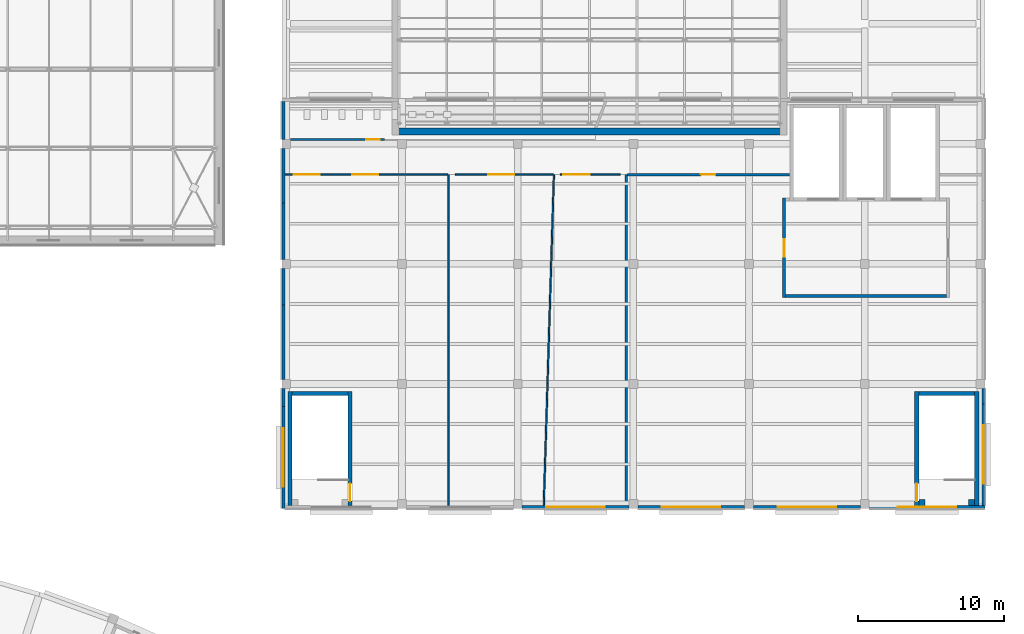
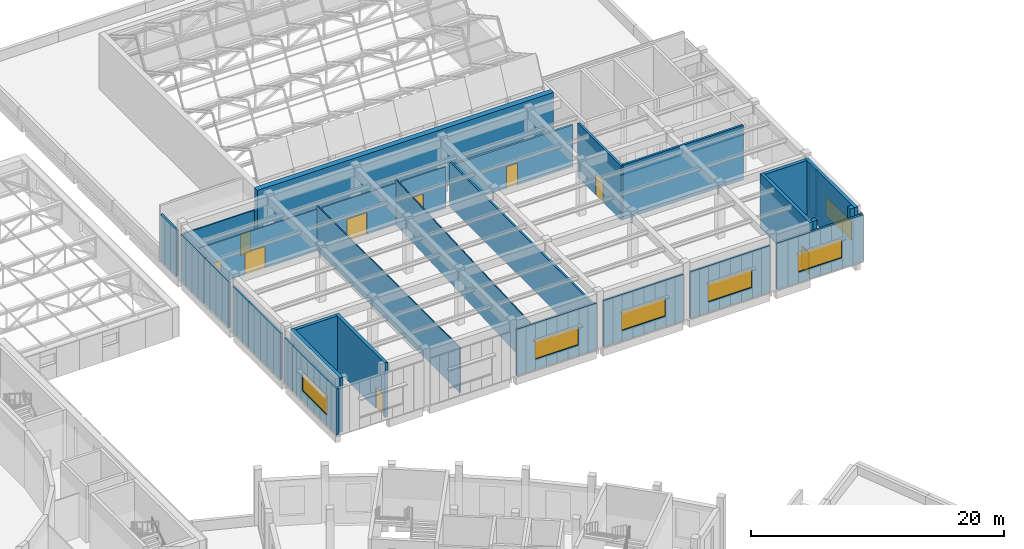
# One storey, part 81 of 132: 32 walls, 9 doors, 6 windows, 15 openings.
"""IFC4 building model written with IfcOpenShell, lengths in metres."""

from ifc_helpers import new_model, si_unit, direction, frame, frame_2d, origin, place, context, subcontext, project, spatial, rectangle, extrude, material, layer, layer_set, type_object, element, fill, save


model = new_model("IFC4")

# Units and contexts
model_context = context("Model", 3, precision=1e-05, world=origin(), true_north=direction((0.0, 1.0)))
body_context = subcontext(model_context, "Body", "Model", "MODEL_VIEW")
ifc_project = project(units=[si_unit("LENGTHUNIT", "METRE"), si_unit("AREAUNIT", "SQUARE_METRE"), si_unit("VOLUMEUNIT", "CUBIC_METRE"), si_unit("PLANEANGLEUNIT", "RADIAN"), si_unit("MASSUNIT", "GRAM", prefix="KILO")], contexts=[model_context])

# Site, building, storey
site_placement = place(None, origin())
site = spatial("IfcSite", under=ifc_project, at=site_placement, CompositionType="ELEMENT")
building_placement = place(site_placement, origin())
building = spatial("IfcBuilding", under=site, at=building_placement, Name="Lunette Opera House", CompositionType="ELEMENT")
storey_placement = place(building_placement, frame((0.0, 0.0, 17.0)))
storey = spatial("IfcBuildingStorey", under=building, at=storey_placement, Name="L03", CompositionType="ELEMENT", Elevation=17.0)

# Wall
ifc_material_1 = material(Name="Plastered clay blockwork", Category="masonry")
ifc_layer_1 = layer(ifc_material_1, 0.175048828125)
ifc_layer_set_1 = layer_set([ifc_layer_1], Name="Plastered clay blockwork")
wall_type_1 = type_object("IfcWallType", Name="ACOUSTIC BLOCK PARTITION 175", PredefinedType="PARTITIONING", material=ifc_layer_set_1)
wall_1_placement = place(storey_placement, frame((159.514892578125, 100.800048828125, 0.0), z_axis=(0.0, 0.0, 1.0), x_axis=(0.0, -1.0, 0.0)))
element("IfcWall", 1, at=wall_1_placement, inside=storey, type_object=wall_type_1, Name="Partition Scenery Store Upper", PredefinedType="PARTITIONING", context=body_context, shape_type="SweptSolid", body=[
    extrude(rectangle(XDim=22.60009765625, YDim=0.175048828125, at=frame_2d((11.300048828125, 0.0))), origin(), (0.0, 0.0, 1.0), 4.35009765625),
])

# Wall, opening, door
wall_2_placement = place(storey_placement, frame((170.64990234375, 100.800048828125, 0.0), z_axis=(0.0, 0.0, 1.0), x_axis=(-1.0, 0.0, 0.0)))
wall_2 = element("IfcWall", 2, at=wall_2_placement, inside=storey, type_object=wall_type_1, Name="Partition Scenery Store Upper", PredefinedType="PARTITIONING", context=body_context, shape_type="SweptSolid", body=[
    extrude(rectangle(XDim=11.046875, YDim=0.175048828125, at=frame_2d((5.5234375, 0.0))), origin(), (0.0, 0.0, 1.0), 4.0),
])
opening_1_placement = place(wall_2_placement, frame((5.04296875, 0.0, 0.0)))
opening_1 = element("IfcOpeningElement", 3, at=opening_1_placement, cuts=wall_2, Name="Opening WW-D3046", PredefinedType="OPENING", context=body_context, shape_type="SweptSolid", body=[
    extrude(rectangle(XDim=1.0, YDim=2.10009765625, at=frame_2d((0.5, 1.050048828125))), frame((0.0, 0.099609375, 0.0), z_axis=(0.0, -1.0, 0.0), x_axis=(1.0, 0.0, 0.0)), (0.0, 0.0, 1.0), 0.198974609375),
])
ifc_material_2 = material(Name="Timber", Category="wood")
door_type_1 = type_object("IfcDoorType", Name="FLUSH DOOR 1000 X 2100", OperationType="SINGLE_SWING_LEFT", PredefinedType="DOOR", material=ifc_material_2)
door_1_placement = place(opening_1_placement, origin())
door_1 = element("IfcDoor", 4, at=door_1_placement, inside=storey, type_object=door_type_1, Name="Scenery Store Upper door", OperationType="SINGLE_SWING_RIGHT", OverallHeight=2.10009765625, OverallWidth=1.0, PredefinedType="DOOR", context=body_context, shape_type="SweptSolid", body=[
    extrude(rectangle(XDim=1.0, YDim=2.10009765625, at=frame_2d((0.5, 1.050048828125))), frame((0.0, 0.02490234375, 0.0), z_axis=(0.0, -1.0, 0.0), x_axis=(1.0, 0.0, 0.0)), (0.0, 0.0, 1.0), 0.050048828125),
])
fill(opening_1, door_1)

ifc_material_3 = material(Name="Plastered clay blockwork", Category="masonry")
ifc_layer_2 = layer(ifc_material_3, 0.14990234375)
ifc_layer_set_2 = layer_set([ifc_layer_2], Name="Plastered clay blockwork")
wall_type_2 = type_object("IfcWallType", Name="BLOCK PARTITION 150", PredefinedType="PARTITIONING", material=ifc_layer_set_2)
wall_3_placement = place(storey_placement, frame((136.60107421875, 103.199951171875, 0.0), z_axis=(0.0, 0.0, 1.0), x_axis=(1.0, 0.0, 0.0)))
wall_3 = element("IfcWall", 5, at=wall_3_placement, inside=storey, type_object=wall_type_2, Name="Partition Workshop WC L03", PredefinedType="PARTITIONING", context=body_context, shape_type="SweptSolid", body=[
    extrude(rectangle(XDim=6.39892578125, YDim=0.14990234375, at=frame_2d((3.199462890625, 0.0))), origin(), (0.0, 0.0, 1.0), 4.0),
])
opening_2_placement = place(wall_3_placement, frame((5.1630859375, 0.0, 0.0)))
opening_2 = element("IfcOpeningElement", 6, at=opening_2_placement, cuts=wall_3, Name="Opening WW-D3047", PredefinedType="OPENING", context=body_context, shape_type="SweptSolid", body=[
    extrude(rectangle(XDim=0.89990234375, YDim=2.10009765625, at=frame_2d((0.449951171875, 1.050048828125))), frame((0.0, 0.0869140625, 0.0), z_axis=(0.0, -1.0, 0.0), x_axis=(1.0, 0.0, 0.0)), (0.0, 0.0, 1.0), 0.173828125),
])
ifc_material_4 = material(Name="Timber", Category="wood")
door_type_2 = type_object("IfcDoorType", Name="FLUSH DOOR 900 X 2100", OperationType="SINGLE_SWING_LEFT", PredefinedType="DOOR", material=ifc_material_4)
door_2_placement = place(opening_2_placement, origin())
door_2 = element("IfcDoor", 7, at=door_2_placement, inside=storey, type_object=door_type_2, Name="Workshop WC L03 door", OperationType="SINGLE_SWING_RIGHT", OverallHeight=2.10009765625, OverallWidth=0.89990234375, PredefinedType="DOOR", context=body_context, shape_type="SweptSolid", body=[
    extrude(rectangle(XDim=0.89990234375, YDim=2.10009765625, at=frame_2d((0.449951171875, 1.050048828125))), frame((0.0, 0.02490234375, 0.0), z_axis=(0.0, -1.0, 0.0), x_axis=(1.0, 0.0, 0.0)), (0.0, 0.0, 1.0), 0.050048828125),
])
fill(opening_2, door_2)

ifc_material_5 = material(Name="Concrete C35/45", Category="concrete")
ifc_layer_3 = layer(ifc_material_5, 0.199951171875)
ifc_layer_set_3 = layer_set([ifc_layer_3], Name="Concrete C35/45")
wall_type_3 = type_object("IfcWallType", Name="LOBBY WALL 200", PredefinedType="PARTITIONING", material=ifc_layer_set_3)
wall_4_placement = place(storey_placement, frame((170.300048828125, 99.199951171875, 0.0), z_axis=(0.0, 0.0, 1.0), x_axis=(0.0, -1.0, 0.0)))
wall_4 = element("IfcWall", 8, at=wall_4_placement, inside=storey, type_object=wall_type_3, Name="LL-W lobby wall 3a", PredefinedType="PARTITIONING", context=body_context, shape_type="SweptSolid", body=[
    extrude(rectangle(XDim=6.800048828125, YDim=0.199951171875, at=frame_2d((3.39990234375, 0.0))), origin(), (0.0, 0.0, 1.0), 5.25),
])
opening_3_placement = place(wall_4_placement, frame((2.800048828125, 0.0, 0.0)))
opening_3 = element("IfcOpeningElement", 9, at=opening_3_placement, cuts=wall_4, Name="Opening WW-D7024", PredefinedType="OPENING", context=body_context, shape_type="SweptSolid", body=[
    extrude(rectangle(XDim=1.199951171875, YDim=2.10009765625, at=frame_2d((0.60009765625, 1.050048828125))), frame((0.0, 0.112060546875, 0.0), z_axis=(0.0, -1.0, 0.0), x_axis=(1.0, 0.0, 0.0)), (0.0, 0.0, 1.0), 0.223876953125),
])
ifc_material_6 = material(Name="Steel", Category="steel")
door_type_3 = type_object("IfcDoorType", Name="FIRE DOOR 1200 X 2100", OperationType="SINGLE_SWING_LEFT", PredefinedType="DOOR", material=ifc_material_6)
door_3_placement = place(opening_3_placement, origin())
door_3 = element("IfcDoor", 10, at=door_3_placement, inside=storey, type_object=door_type_3, Name="LL-W lobby door", OperationType="SINGLE_SWING_LEFT", OverallHeight=2.10009765625, OverallWidth=1.199951171875, PredefinedType="DOOR", context=body_context, shape_type="SweptSolid", body=[
    extrude(rectangle(XDim=1.199951171875, YDim=2.10009765625, at=frame_2d((0.60009765625, 1.050048828125))), frame((0.0, 0.02490234375, 0.0), z_axis=(0.0, -1.0, 0.0), x_axis=(1.0, 0.0, 0.0)), (0.0, 0.0, 1.0), 0.050048828125),
])
fill(opening_3, door_3)

# Walls
wall_5_placement = place(storey_placement, frame((170.39990234375, 92.5, 0.0), z_axis=(0.0, 0.0, 1.0), x_axis=(1.0, 0.0, 0.0)))
element("IfcWall", 11, at=wall_5_placement, inside=storey, type_object=wall_type_3, Name="LL-W lobby wall 4a", PredefinedType="PARTITIONING", context=body_context, shape_type="SweptSolid", body=[
    extrude(rectangle(XDim=11.0, YDim=0.199951171875, at=frame_2d((5.5, 0.0))), origin(), (0.0, 0.0, 1.0), 5.25),
])
ifc_material_7 = material(Name="Concrete C35/45", Category="concrete")
ifc_layer_4 = layer(ifc_material_7, 0.39990234375)
ifc_layer_set_4 = layer_set([ifc_layer_4], Name="Concrete C35/45")
wall_type_4 = type_object("IfcWallType", Name="RC PILASTER 400", PredefinedType="SOLIDWALL", material=ifc_layer_set_4)
wall_6_placement = place(storey_placement, frame((179.5, 78.39990234375, 0.0), z_axis=(0.0, 0.0, 1.0), x_axis=(1.0, 0.0, 0.0)))
element("IfcWall", 12, at=wall_6_placement, inside=storey, type_object=wall_type_4, Name="ST20 pilaster 1", PredefinedType="SOLIDWALL", context=body_context, shape_type="SweptSolid", body=[
    extrude(rectangle(XDim=0.39990234375, YDim=0.39990234375, at=frame_2d((0.199951171875, 0.0))), origin(), (0.0, 0.0, 1.0), 5.25),
])
wall_7_placement = place(storey_placement, frame((182.89990234375, 78.39990234375, 0.0), z_axis=(0.0, 0.0, 1.0), x_axis=(1.0, 0.0, 0.0)))
element("IfcWall", 13, at=wall_7_placement, inside=storey, type_object=wall_type_4, Name="ST20 pilaster 2", PredefinedType="SOLIDWALL", context=body_context, shape_type="SweptSolid", body=[
    extrude(rectangle(XDim=0.400146484375, YDim=0.39990234375, at=frame_2d((0.2001953125, 0.0))), origin(), (0.0, 0.0, 1.0), 5.25),
])

# Wall, opening, door
ifc_material_8 = material(Name="Concrete C35/45", Category="concrete")
ifc_layer_5 = layer(ifc_material_8, 0.300048828125)
ifc_layer_set_5 = layer_set([ifc_layer_5], Name="Concrete C35/45")
wall_type_5 = type_object("IfcWallType", Name="RC STAIR ENCLOSURE WALL 300", PredefinedType="SOLIDWALL", material=ifc_layer_set_5)
wall_8_placement = place(storey_placement, frame((140.64990234375, 78.199951171875, 0.0), z_axis=(0.0, 0.0, 1.0), x_axis=(0.0, 1.0, 0.0)))
wall_8 = element("IfcWall", 14, at=wall_8_placement, inside=storey, type_object=wall_type_5, Name="ST18 enclosure wall 1", PredefinedType="SOLIDWALL", context=body_context, shape_type="SweptSolid", body=[
    extrude(rectangle(XDim=7.800048828125, YDim=0.300048828125, at=frame_2d((3.89990234375, 0.0))), origin(), (0.0, 0.0, 1.0), 5.25),
])
opening_4_placement = place(wall_8_placement, frame((0.300048828125, 0.0, 0.0)))
opening_4 = element("IfcOpeningElement", 15, at=opening_4_placement, cuts=wall_8, Name="Opening WW-D7005", PredefinedType="OPENING", context=body_context, shape_type="SweptSolid", body=[
    extrude(rectangle(XDim=1.199951171875, YDim=2.10009765625, at=frame_2d((0.60009765625, 1.050048828125))), frame((0.0, 0.162109375, 0.0), z_axis=(0.0, -1.0, 0.0), x_axis=(1.0, 0.0, 0.0)), (0.0, 0.0, 1.0), 0.323974609375),
])
door_4_placement = place(opening_4_placement, origin())
door_4 = element("IfcDoor", 16, at=door_4_placement, inside=storey, type_object=door_type_3, Name="ST18 stair door", OperationType="SINGLE_SWING_LEFT", OverallHeight=2.10009765625, OverallWidth=1.199951171875, PredefinedType="DOOR", context=body_context, shape_type="SweptSolid", body=[
    extrude(rectangle(XDim=1.199951171875, YDim=2.10009765625, at=frame_2d((0.60009765625, 1.050048828125))), frame((0.0, 0.02490234375, 0.0), z_axis=(0.0, -1.0, 0.0), x_axis=(1.0, 0.0, 0.0)), (0.0, 0.0, 1.0), 0.050048828125),
])
fill(opening_4, door_4)

# Walls
wall_9_placement = place(storey_placement, frame((140.5, 85.85009765625, 0.0), z_axis=(0.0, 0.0, 1.0), x_axis=(-1.0, 0.0, 0.0)))
element("IfcWall", 17, at=wall_9_placement, inside=storey, type_object=wall_type_5, Name="ST18 enclosure wall 2", PredefinedType="SOLIDWALL", context=body_context, shape_type="SweptSolid", body=[
    extrude(rectangle(XDim=3.800048828125, YDim=0.300048828125, at=frame_2d((1.89990234375, 0.0))), origin(), (0.0, 0.0, 1.0), 5.25),
])
for number, where, z_axis, x_axis, name in (
    (18, (136.550048828125, 86.0, 0.0), (0.0, 0.0, 1.0), (0.0, -1.0, 0.0), "ST18 enclosure wall 3"),
    (19, (183.449951171875, 78.199951171875, 0.0), (0.0, 0.0, 1.0), (0.0, 1.0, 0.0), "ST20 enclosure wall 1"),
):
    element("IfcWall", number, at=place(storey_placement, frame(where, z_axis=z_axis, x_axis=x_axis)), inside=storey, type_object=wall_type_5, Name=name, PredefinedType="SOLIDWALL", context=body_context, shape_type="SweptSolid", body=[
        extrude(rectangle(XDim=7.800048828125, YDim=0.300048828125, at=frame_2d((3.89990234375, 0.0))), origin(), (0.0, 0.0, 1.0), 5.25),
    ])
wall_10_placement = place(storey_placement, frame((183.300048828125, 85.85009765625, 0.0), z_axis=(0.0, 0.0, 1.0), x_axis=(-1.0, 0.0, 0.0)))
element("IfcWall", 20, at=wall_10_placement, inside=storey, type_object=wall_type_5, Name="ST20 enclosure wall 2", PredefinedType="SOLIDWALL", context=body_context, shape_type="SweptSolid", body=[
    extrude(rectangle(XDim=3.800048828125, YDim=0.300048828125, at=frame_2d((1.89990234375, 0.0))), origin(), (0.0, 0.0, 1.0), 5.25),
])

# Wall, opening, door
wall_11_placement = place(storey_placement, frame((179.35009765625, 86.0, 0.0), z_axis=(0.0, 0.0, 1.0), x_axis=(0.0, -1.0, 0.0)))
wall_11 = element("IfcWall", 21, at=wall_11_placement, inside=storey, type_object=wall_type_5, Name="ST20 enclosure wall 3", PredefinedType="SOLIDWALL", context=body_context, shape_type="SweptSolid", body=[
    extrude(rectangle(XDim=7.800048828125, YDim=0.300048828125, at=frame_2d((3.89990234375, 0.0))), origin(), (0.0, 0.0, 1.0), 5.25),
])
opening_5_placement = place(wall_11_placement, frame((6.300048828125, 0.0, 0.0)))
opening_5 = element("IfcOpeningElement", 22, at=opening_5_placement, cuts=wall_11, Name="Opening WW-D7014", PredefinedType="OPENING", context=body_context, shape_type="SweptSolid", body=[
    extrude(rectangle(XDim=1.199951171875, YDim=2.10009765625, at=frame_2d((0.60009765625, 1.050048828125))), frame((0.0, 0.162109375, 0.0), z_axis=(0.0, -1.0, 0.0), x_axis=(1.0, 0.0, 0.0)), (0.0, 0.0, 1.0), 0.323974609375),
])
door_5_placement = place(opening_5_placement, origin())
door_5 = element("IfcDoor", 23, at=door_5_placement, inside=storey, type_object=door_type_3, Name="ST20 stair door", OperationType="SINGLE_SWING_LEFT", OverallHeight=2.10009765625, OverallWidth=1.199951171875, PredefinedType="DOOR", context=body_context, shape_type="SweptSolid", body=[
    extrude(rectangle(XDim=1.199951171875, YDim=2.10009765625, at=frame_2d((0.60009765625, 1.050048828125))), frame((0.0, 0.02490234375, 0.0), z_axis=(0.0, -1.0, 0.0), x_axis=(1.0, 0.0, 0.0)), (0.0, 0.0, 1.0), 0.050048828125),
])
fill(opening_5, door_5)

# Walls
ifc_material_9 = material(Name="Concrete C35/45", Category="concrete")
ifc_layer_6 = layer(ifc_material_9, 0.5)
ifc_layer_set_6 = layer_set([ifc_layer_6], Name="Concrete C35/45")
wall_type_6 = type_object("IfcWallType", Name="RC WALL 500", PredefinedType="SHEAR", material=ifc_layer_set_6)
wall_12_placement = place(storey_placement, frame((143.5, 103.75, 0.0), z_axis=(0.0, 0.0, 1.0), x_axis=(1.0, 0.0, 0.0)))
element("IfcWall", 24, at=wall_12_placement, inside=storey, type_object=wall_type_6, Name="wall-WW-L03-PH-S-1", PredefinedType="SHEAR", context=body_context, shape_type="SweptSolid", body=[
    extrude(rectangle(XDim=27.0, YDim=0.5, at=frame_2d((13.5, 0.0))), origin(), (0.0, 0.0, 1.0), 5.5),
])
ifc_material_10 = material(Name="Gypsum board on steel studs", Category="steel")
ifc_layer_7 = layer(ifc_material_10, 0.10009765625)
ifc_layer_set_7 = layer_set([ifc_layer_7], Name="Gypsum board on steel studs")
wall_type_7 = type_object("IfcWallType", Name="STUD PARTITION 100", PredefinedType="PARTITIONING", material=ifc_layer_set_7)
wall_13_placement = place(storey_placement, frame((147.386962890625, 100.800048828125, 0.0), z_axis=(0.0, 0.0, 1.0), x_axis=(0.0, -1.0, 0.0)))
element("IfcWall", 25, at=wall_13_placement, inside=storey, type_object=wall_type_7, Name="Partition Pattern Cutting Studio", PredefinedType="PARTITIONING", context=body_context, shape_type="SweptSolid", body=[
    extrude(rectangle(XDim=22.60009765625, YDim=0.10009765625, at=frame_2d((11.300048828125, 0.0))), origin(), (0.0, 0.0, 1.0), 4.35009765625),
])
wall_14_placement = place(storey_placement, frame((154.573974609375, 100.800048828125, 0.0), z_axis=(0.0, 0.0, 1.0), x_axis=(-0.030697419898, -0.999528723155, 0.0)))
element("IfcWall", 26, at=wall_14_placement, inside=storey, type_object=wall_type_7, Name="Partition Workshop Meeting Rooms", PredefinedType="PARTITIONING", context=body_context, shape_type="SweptSolid", body=[
    extrude(rectangle(XDim=22.61083984375, YDim=0.10009765625, at=frame_2d((11.305419921875, 0.0))), origin(), (0.0, 0.0, 1.0), 4.35009765625),
])

# Wall, openings, doors
wall_15_placement = place(storey_placement, frame((136.199951171875, 100.800048828125, 0.0), z_axis=(0.0, 0.0, 1.0), x_axis=(1.0, 0.0, 0.0)))
wall_15 = element("IfcWall", 27, at=wall_15_placement, inside=storey, type_object=wall_type_7, Name="Partition Corridor L03 Workshop", PredefinedType="PARTITIONING", context=body_context, shape_type="SweptSolid", body=[
    extrude(rectangle(XDim=11.136962890625, YDim=0.10009765625, at=frame_2d((5.568359375, 0.0))), origin(), (0.0, 0.0, 1.0), 4.0),
])
opening_6_placement = place(wall_15_placement, frame((4.593994140625, 0.0, 0.0)))
opening_6 = element("IfcOpeningElement", 28, at=opening_6_placement, cuts=wall_15, Name="Opening WW-D3042", PredefinedType="OPENING", context=body_context, shape_type="SweptSolid", body=[
    extrude(rectangle(XDim=1.800048828125, YDim=2.10009765625, at=frame_2d((0.89990234375, 1.050048828125))), frame((0.0, 0.06201171875, 0.0), z_axis=(0.0, -1.0, 0.0), x_axis=(1.0, 0.0, 0.0)), (0.0, 0.0, 1.0), 0.1240234375),
])
opening_7_placement = place(wall_15_placement, frame((0.593994140625, 0.0, 0.0)))
opening_7 = element("IfcOpeningElement", 29, at=opening_7_placement, cuts=wall_15, Name="Opening WW-D3043", PredefinedType="OPENING", context=body_context, shape_type="SweptSolid", body=[
    extrude(rectangle(XDim=1.800048828125, YDim=2.10009765625, at=frame_2d((0.89990234375, 1.050048828125))), frame((0.0, 0.06201171875, 0.0), z_axis=(0.0, -1.0, 0.0), x_axis=(1.0, 0.0, 0.0)), (0.0, 0.0, 1.0), 0.1240234375),
])
ifc_material_11 = material(Name="Timber", Category="wood")
door_type_4 = type_object("IfcDoorType", Name="DOUBLE FLUSH DOOR 1800 X 2100", OperationType="DOUBLE_DOOR_SINGLE_SWING", PredefinedType="DOOR", material=ifc_material_11)
door_6_placement = place(opening_6_placement, origin())
door_6 = element("IfcDoor", 30, at=door_6_placement, inside=storey, type_object=door_type_4, Name="Scenery Drawing Office door", OperationType="DOUBLE_DOOR_SINGLE_SWING", OverallHeight=2.10009765625, OverallWidth=1.800048828125, PredefinedType="DOOR", context=body_context, shape_type="SweptSolid", body=[
    extrude(rectangle(XDim=1.800048828125, YDim=2.10009765625, at=frame_2d((0.89990234375, 1.050048828125))), frame((0.0, 0.02490234375, 0.0), z_axis=(0.0, -1.0, 0.0), x_axis=(1.0, 0.0, 0.0)), (0.0, 0.0, 1.0), 0.050048828125),
])
fill(opening_6, door_6)
door_7_placement = place(opening_7_placement, origin())
door_7 = element("IfcDoor", 31, at=door_7_placement, inside=storey, type_object=door_type_4, Name="Scenery Drawing Office door", OperationType="DOUBLE_DOOR_SINGLE_SWING", OverallHeight=2.10009765625, OverallWidth=1.800048828125, PredefinedType="DOOR", context=body_context, shape_type="SweptSolid", body=[
    extrude(rectangle(XDim=1.800048828125, YDim=2.10009765625, at=frame_2d((0.89990234375, 1.050048828125))), frame((0.0, 0.02490234375, 0.0), z_axis=(0.0, -1.0, 0.0), x_axis=(1.0, 0.0, 0.0)), (0.0, 0.0, 1.0), 0.050048828125),
])
fill(opening_7, door_7)

# Wall, opening, door
wall_16_placement = place(storey_placement, frame((147.8369140625, 100.800048828125, 0.0), z_axis=(0.0, 0.0, 1.0), x_axis=(1.0, 0.0, 0.0)))
wall_16 = element("IfcWall", 32, at=wall_16_placement, inside=storey, type_object=wall_type_7, Name="Partition Corridor L03 Workshop", PredefinedType="PARTITIONING", context=body_context, shape_type="SweptSolid", body=[
    extrude(rectangle(XDim=6.68603515625, YDim=0.10009765625, at=frame_2d((3.343017578125, 0.0))), origin(), (0.0, 0.0, 1.0), 4.0),
])
opening_8_placement = place(wall_16_placement, frame((2.243896484375, 0.0, 0.0)))
opening_8 = element("IfcOpeningElement", 33, at=opening_8_placement, cuts=wall_16, Name="Opening WW-D3044", PredefinedType="OPENING", context=body_context, shape_type="SweptSolid", body=[
    extrude(rectangle(XDim=1.800048828125, YDim=2.10009765625, at=frame_2d((0.89990234375, 1.050048828125))), frame((0.0, 0.06201171875, 0.0), z_axis=(0.0, -1.0, 0.0), x_axis=(1.0, 0.0, 0.0)), (0.0, 0.0, 1.0), 0.1240234375),
])
door_8_placement = place(opening_8_placement, origin())
door_8 = element("IfcDoor", 34, at=door_8_placement, inside=storey, type_object=door_type_4, Name="Pattern Cutting Studio door", OperationType="DOUBLE_DOOR_SINGLE_SWING", OverallHeight=2.10009765625, OverallWidth=1.800048828125, PredefinedType="DOOR", context=body_context, shape_type="SweptSolid", body=[
    extrude(rectangle(XDim=1.800048828125, YDim=2.10009765625, at=frame_2d((0.89990234375, 1.050048828125))), frame((0.0, 0.02490234375, 0.0), z_axis=(0.0, -1.0, 0.0), x_axis=(1.0, 0.0, 0.0)), (0.0, 0.0, 1.0), 0.050048828125),
])
fill(opening_8, door_8)

wall_17_placement = place(storey_placement, frame((155.02294921875, 100.800048828125, 0.0), z_axis=(0.0, 0.0, 1.0), x_axis=(1.0, 0.0, 0.0)))
wall_17 = element("IfcWall", 35, at=wall_17_placement, inside=storey, type_object=wall_type_7, Name="Partition Corridor L03 Workshop", PredefinedType="PARTITIONING", context=body_context, shape_type="SweptSolid", body=[
    extrude(rectangle(XDim=4.080078125, YDim=0.10009765625, at=frame_2d((2.0400390625, 0.0))), origin(), (0.0, 0.0, 1.0), 4.0),
])
opening_9_placement = place(wall_17_placement, frame((0.199951171875, 0.0, 0.0)))
opening_9 = element("IfcOpeningElement", 36, at=opening_9_placement, cuts=wall_17, Name="Opening WW-D3045", PredefinedType="OPENING", context=body_context, shape_type="SweptSolid", body=[
    extrude(rectangle(XDim=1.800048828125, YDim=2.10009765625, at=frame_2d((0.89990234375, 1.050048828125))), frame((0.0, 0.06201171875, 0.0), z_axis=(0.0, -1.0, 0.0), x_axis=(1.0, 0.0, 0.0)), (0.0, 0.0, 1.0), 0.1240234375),
])
door_9_placement = place(opening_9_placement, origin())
door_9 = element("IfcDoor", 37, at=door_9_placement, inside=storey, type_object=door_type_4, Name="Workshop Meeting Rooms door", OperationType="DOUBLE_DOOR_SINGLE_SWING", OverallHeight=2.10009765625, OverallWidth=1.800048828125, PredefinedType="DOOR", context=body_context, shape_type="SweptSolid", body=[
    extrude(rectangle(XDim=1.800048828125, YDim=2.10009765625, at=frame_2d((0.89990234375, 1.050048828125))), frame((0.0, 0.02490234375, 0.0), z_axis=(0.0, -1.0, 0.0), x_axis=(1.0, 0.0, 0.0)), (0.0, 0.0, 1.0), 0.050048828125),
])
fill(opening_9, door_9)

# Walls
ifc_material_12 = material(Name="Insulated aluminium sandwich panel", Category="aluminium")
ifc_layer_8 = layer(ifc_material_12, 0.199951171875)
ifc_layer_set_8 = layer_set([ifc_layer_8], Name="Insulated aluminium sandwich panel")
wall_type_8 = type_object("IfcWallType", Name="WORKSHOP METAL PANEL WALL 200", PredefinedType="SOLIDWALL", material=ifc_layer_set_8)
wall_18_placement = place(storey_placement, frame((136.10009765625, 105.800048828125, 0.0), z_axis=(0.0, 0.0, 1.0), x_axis=(0.0, -1.0, 0.0)))
element("IfcWall", 38, at=wall_18_placement, inside=storey, type_object=wall_type_8, Name="Workshop Metal Panel Wall 200 F07-1 L03", PredefinedType="SOLIDWALL", context=body_context, shape_type="SweptSolid", body=[
    extrude(rectangle(XDim=2.60009765625, YDim=0.199951171875, at=frame_2d((1.300048828125, 0.0))), origin(), (0.0, 0.0, 1.0), 4.449951171875),
])
wall_19_placement = place(storey_placement, frame((136.10009765625, 102.60009765625, 0.0), z_axis=(0.0, 0.0, 1.0), x_axis=(0.0, -1.0, 0.0)))
element("IfcWall", 39, at=wall_19_placement, inside=storey, type_object=wall_type_8, Name="Workshop Metal Panel Wall 200 F07-2 L03", PredefinedType="SOLIDWALL", context=body_context, shape_type="SweptSolid", body=[
    extrude(rectangle(XDim=3.75, YDim=0.199951171875, at=frame_2d((1.875, 0.0))), origin(), (0.0, 0.0, 1.0), 4.449951171875),
])
wall_20_placement = place(storey_placement, frame((136.10009765625, 98.85009765625, 0.0), z_axis=(0.0, 0.0, 1.0), x_axis=(0.0, -1.0, 0.0)))
element("IfcWall", 40, at=wall_20_placement, inside=storey, type_object=wall_type_8, Name="Workshop Metal Panel Wall 200 F08-1 L03", PredefinedType="SOLIDWALL", context=body_context, shape_type="SweptSolid", body=[
    extrude(rectangle(XDim=3.85009765625, YDim=0.199951171875, at=frame_2d((1.925048828125, 0.0))), origin(), (0.0, 0.0, 1.0), 4.449951171875),
])
wall_21_placement = place(storey_placement, frame((136.10009765625, 94.39990234375, 0.0), z_axis=(0.0, 0.0, 1.0), x_axis=(0.0, -1.0, 0.0)))
element("IfcWall", 41, at=wall_21_placement, inside=storey, type_object=wall_type_8, Name="Workshop Metal Panel Wall 200 F08-2 L03", PredefinedType="SOLIDWALL", context=body_context, shape_type="SweptSolid", body=[
    extrude(rectangle(XDim=2.5, YDim=0.199951171875, at=frame_2d((1.25, 0.0))), origin(), (0.0, 0.0, 1.0), 4.449951171875),
])
wall_22_placement = place(storey_placement, frame((136.10009765625, 91.89990234375, 0.0), z_axis=(0.0, 0.0, 1.0), x_axis=(0.0, -1.0, 0.0)))
element("IfcWall", 42, at=wall_22_placement, inside=storey, type_object=wall_type_8, Name="Workshop Metal Panel Wall 200 F09-1 L03", PredefinedType="SOLIDWALL", context=body_context, shape_type="SweptSolid", body=[
    extrude(rectangle(XDim=5.099853515625, YDim=0.199951171875, at=frame_2d((2.5498046875, 0.0))), origin(), (0.0, 0.0, 1.0), 4.449951171875),
])
wall_23_placement = place(storey_placement, frame((136.10009765625, 86.199951171875, 0.0), z_axis=(0.0, 0.0, 1.0), x_axis=(0.0, -1.0, 0.0)))
element("IfcWall", 43, at=wall_23_placement, inside=storey, type_object=wall_type_8, Name="Workshop Metal Panel Wall 200 F09-2 L03", PredefinedType="SOLIDWALL", context=body_context, shape_type="SweptSolid", body=[
    extrude(rectangle(XDim=1.25, YDim=0.199951171875, at=frame_2d((0.625, 0.0))), origin(), (0.0, 0.0, 1.0), 4.449951171875),
])

# Wall, opening, window
wall_24_placement = place(storey_placement, frame((136.10009765625, 84.949951171875, 0.0), z_axis=(0.0, 0.0, 1.0), x_axis=(0.0, -1.0, 0.0)))
wall_24 = element("IfcWall", 44, at=wall_24_placement, inside=storey, type_object=wall_type_8, Name="Workshop Metal Panel Wall 200 F10 L03", PredefinedType="SOLIDWALL", context=body_context, shape_type="SweptSolid", body=[
    extrude(rectangle(XDim=6.949951171875, YDim=0.199951171875, at=frame_2d((3.47509765625, 0.0))), origin(), (0.0, 0.0, 1.0), 4.449951171875),
])
opening_10_placement = place(wall_24_placement, frame((1.47509765625, 0.0, 1.0)))
opening_10 = element("IfcOpeningElement", 45, at=opening_10_placement, cuts=wall_24, Name="Opening WW-N2039", PredefinedType="OPENING", context=body_context, shape_type="SweptSolid", body=[
    extrude(rectangle(XDim=4.0, YDim=1.800048828125, at=frame_2d((2.0, 0.89990234375))), frame((0.0, 0.112060546875, 0.0), z_axis=(0.0, -1.0, 0.0), x_axis=(1.0, 0.0, 0.0)), (0.0, 0.0, 1.0), 0.223876953125),
])
ifc_material_13 = material(Name="Aluminium", Category="aluminium")
window_type = type_object("IfcWindowType", Name="WORKSHOP RIBBON WINDOW 4000 X 1800", PartitioningType="DOUBLE_PANEL_VERTICAL", PredefinedType="WINDOW", material=ifc_material_13)
window_1_placement = place(opening_10_placement, origin())
window_1 = element("IfcWindow", 46, at=window_1_placement, inside=storey, type_object=window_type, Name="Workshop Ribbon Window 4000 X 1800 F10 L03", OverallHeight=1.800048828125, OverallWidth=4.0, PartitioningType="DOUBLE_PANEL_VERTICAL", PredefinedType="WINDOW", context=body_context, shape_type="SweptSolid", body=[
    extrude(rectangle(XDim=4.0, YDim=1.800048828125, at=frame_2d((2.0, 0.89990234375))), frame((0.0, 0.030029296875, 0.0), z_axis=(0.0, -1.0, 0.0), x_axis=(1.0, 0.0, 0.0)), (0.0, 0.0, 1.0), 0.06005859375),
])
fill(opening_10, window_1)

wall_25_placement = place(storey_placement, frame((152.39990234375, 78.10009765625, 0.0), z_axis=(0.0, 0.0, 1.0), x_axis=(1.0, 0.0, 0.0)))
wall_25 = element("IfcWall", 47, at=wall_25_placement, inside=storey, type_object=wall_type_8, Name="Workshop Metal Panel Wall 200 F13 L03", PredefinedType="SOLIDWALL", context=body_context, shape_type="SweptSolid", body=[
    extrude(rectangle(XDim=7.300048828125, YDim=0.199951171875, at=frame_2d((3.64990234375, 0.0))), origin(), (0.0, 0.0, 1.0), 4.449951171875),
])
opening_11_placement = place(wall_25_placement, frame((1.64990234375, 0.0, 1.0)))
opening_11 = element("IfcOpeningElement", 48, at=opening_11_placement, cuts=wall_25, Name="Opening WW-N2042", PredefinedType="OPENING", context=body_context, shape_type="SweptSolid", body=[
    extrude(rectangle(XDim=4.0, YDim=1.800048828125, at=frame_2d((2.0, 0.89990234375))), frame((0.0, 0.112060546875, 0.0), z_axis=(0.0, -1.0, 0.0), x_axis=(1.0, 0.0, 0.0)), (0.0, 0.0, 1.0), 0.223876953125),
])
window_2_placement = place(opening_11_placement, origin())
window_2 = element("IfcWindow", 49, at=window_2_placement, inside=storey, type_object=window_type, Name="Workshop Ribbon Window 4000 X 1800 F13 L03", OverallHeight=1.800048828125, OverallWidth=4.0, PartitioningType="DOUBLE_PANEL_VERTICAL", PredefinedType="WINDOW", context=body_context, shape_type="SweptSolid", body=[
    extrude(rectangle(XDim=4.0, YDim=1.800048828125, at=frame_2d((2.0, 0.89990234375))), frame((0.0, 0.030029296875, 0.0), z_axis=(0.0, -1.0, 0.0), x_axis=(1.0, 0.0, 0.0)), (0.0, 0.0, 1.0), 0.06005859375),
])
fill(opening_11, window_2)

wall_26_placement = place(storey_placement, frame((160.300048828125, 78.10009765625, 0.0), z_axis=(0.0, 0.0, 1.0), x_axis=(1.0, 0.0, 0.0)))
wall_26 = element("IfcWall", 50, at=wall_26_placement, inside=storey, type_object=wall_type_8, Name="Workshop Metal Panel Wall 200 F14 L03", PredefinedType="SOLIDWALL", context=body_context, shape_type="SweptSolid", body=[
    extrude(rectangle(XDim=7.300048828125, YDim=0.199951171875, at=frame_2d((3.64990234375, 0.0))), origin(), (0.0, 0.0, 1.0), 4.449951171875),
])
opening_12_placement = place(wall_26_placement, frame((1.64990234375, 0.0, 1.0)))
opening_12 = element("IfcOpeningElement", 51, at=opening_12_placement, cuts=wall_26, Name="Opening WW-N2043", PredefinedType="OPENING", context=body_context, shape_type="SweptSolid", body=[
    extrude(rectangle(XDim=4.0, YDim=1.800048828125, at=frame_2d((2.0, 0.89990234375))), frame((0.0, 0.112060546875, 0.0), z_axis=(0.0, -1.0, 0.0), x_axis=(1.0, 0.0, 0.0)), (0.0, 0.0, 1.0), 0.223876953125),
])
window_3_placement = place(opening_12_placement, origin())
window_3 = element("IfcWindow", 52, at=window_3_placement, inside=storey, type_object=window_type, Name="Workshop Ribbon Window 4000 X 1800 F14 L03", OverallHeight=1.800048828125, OverallWidth=4.0, PartitioningType="DOUBLE_PANEL_VERTICAL", PredefinedType="WINDOW", context=body_context, shape_type="SweptSolid", body=[
    extrude(rectangle(XDim=4.0, YDim=1.800048828125, at=frame_2d((2.0, 0.89990234375))), frame((0.0, 0.030029296875, 0.0), z_axis=(0.0, -1.0, 0.0), x_axis=(1.0, 0.0, 0.0)), (0.0, 0.0, 1.0), 0.06005859375),
])
fill(opening_12, window_3)

wall_27_placement = place(storey_placement, frame((168.199951171875, 78.10009765625, 0.0), z_axis=(0.0, 0.0, 1.0), x_axis=(1.0, 0.0, 0.0)))
wall_27 = element("IfcWall", 53, at=wall_27_placement, inside=storey, type_object=wall_type_8, Name="Workshop Metal Panel Wall 200 F15 L03", PredefinedType="SOLIDWALL", context=body_context, shape_type="SweptSolid", body=[
    extrude(rectangle(XDim=7.300048828125, YDim=0.199951171875, at=frame_2d((3.64990234375, 0.0))), origin(), (0.0, 0.0, 1.0), 4.449951171875),
])
opening_13_placement = place(wall_27_placement, frame((1.64990234375, 0.0, 1.0)))
opening_13 = element("IfcOpeningElement", 54, at=opening_13_placement, cuts=wall_27, Name="Opening WW-N2044", PredefinedType="OPENING", context=body_context, shape_type="SweptSolid", body=[
    extrude(rectangle(XDim=4.0, YDim=1.800048828125, at=frame_2d((2.0, 0.89990234375))), frame((0.0, 0.112060546875, 0.0), z_axis=(0.0, -1.0, 0.0), x_axis=(1.0, 0.0, 0.0)), (0.0, 0.0, 1.0), 0.223876953125),
])
window_4_placement = place(opening_13_placement, origin())
window_4 = element("IfcWindow", 55, at=window_4_placement, inside=storey, type_object=window_type, Name="Workshop Ribbon Window 4000 X 1800 F15 L03", OverallHeight=1.800048828125, OverallWidth=4.0, PartitioningType="DOUBLE_PANEL_VERTICAL", PredefinedType="WINDOW", context=body_context, shape_type="SweptSolid", body=[
    extrude(rectangle(XDim=4.0, YDim=1.800048828125, at=frame_2d((2.0, 0.89990234375))), frame((0.0, 0.030029296875, 0.0), z_axis=(0.0, -1.0, 0.0), x_axis=(1.0, 0.0, 0.0)), (0.0, 0.0, 1.0), 0.06005859375),
])
fill(opening_13, window_4)

wall_28_placement = place(storey_placement, frame((176.10009765625, 78.10009765625, 0.0), z_axis=(0.0, 0.0, 1.0), x_axis=(1.0, 0.0, 0.0)))
wall_28 = element("IfcWall", 56, at=wall_28_placement, inside=storey, type_object=wall_type_8, Name="Workshop Metal Panel Wall 200 F16 L03", PredefinedType="SOLIDWALL", context=body_context, shape_type="SweptSolid", body=[
    extrude(rectangle(XDim=7.89990234375, YDim=0.199951171875, at=frame_2d((3.949951171875, 0.0))), origin(), (0.0, 0.0, 1.0), 4.449951171875),
])
opening_14_placement = place(wall_28_placement, frame((1.949951171875, 0.0, 1.0)))
opening_14 = element("IfcOpeningElement", 57, at=opening_14_placement, cuts=wall_28, Name="Opening WW-N2045", PredefinedType="OPENING", context=body_context, shape_type="SweptSolid", body=[
    extrude(rectangle(XDim=4.0, YDim=1.800048828125, at=frame_2d((2.0, 0.89990234375))), frame((0.0, 0.112060546875, 0.0), z_axis=(0.0, -1.0, 0.0), x_axis=(1.0, 0.0, 0.0)), (0.0, 0.0, 1.0), 0.223876953125),
])
window_5_placement = place(opening_14_placement, origin())
window_5 = element("IfcWindow", 58, at=window_5_placement, inside=storey, type_object=window_type, Name="Workshop Ribbon Window 4000 X 1800 F16 L03", OverallHeight=1.800048828125, OverallWidth=4.0, PartitioningType="DOUBLE_PANEL_VERTICAL", PredefinedType="WINDOW", context=body_context, shape_type="SweptSolid", body=[
    extrude(rectangle(XDim=4.0, YDim=1.800048828125, at=frame_2d((2.0, 0.89990234375))), frame((0.0, 0.030029296875, 0.0), z_axis=(0.0, -1.0, 0.0), x_axis=(1.0, 0.0, 0.0)), (0.0, 0.0, 1.0), 0.06005859375),
])
fill(opening_14, window_5)

wall_29_placement = place(storey_placement, frame((183.89990234375, 78.199951171875, 0.0), z_axis=(0.0, 0.0, 1.0), x_axis=(0.0, 1.0, 0.0)))
wall_29 = element("IfcWall", 59, at=wall_29_placement, inside=storey, type_object=wall_type_8, Name="Workshop Metal Panel Wall 200 F17 L03", PredefinedType="SOLIDWALL", context=body_context, shape_type="SweptSolid", body=[
    extrude(rectangle(XDim=6.949951171875, YDim=0.199951171875, at=frame_2d((3.47509765625, 0.0))), origin(), (0.0, 0.0, 1.0), 4.449951171875),
])
opening_15_placement = place(wall_29_placement, frame((1.47509765625, 0.0, 1.0)))
opening_15 = element("IfcOpeningElement", 60, at=opening_15_placement, cuts=wall_29, Name="Opening WW-N2046", PredefinedType="OPENING", context=body_context, shape_type="SweptSolid", body=[
    extrude(rectangle(XDim=4.0, YDim=1.800048828125, at=frame_2d((2.0, 0.89990234375))), frame((0.0, 0.112060546875, 0.0), z_axis=(0.0, -1.0, 0.0), x_axis=(1.0, 0.0, 0.0)), (0.0, 0.0, 1.0), 0.223876953125),
])
window_6_placement = place(opening_15_placement, origin())
window_6 = element("IfcWindow", 61, at=window_6_placement, inside=storey, type_object=window_type, Name="Workshop Ribbon Window 4000 X 1800 F17 L03", OverallHeight=1.800048828125, OverallWidth=4.0, PartitioningType="DOUBLE_PANEL_VERTICAL", PredefinedType="WINDOW", context=body_context, shape_type="SweptSolid", body=[
    extrude(rectangle(XDim=4.0, YDim=1.800048828125, at=frame_2d((2.0, 0.89990234375))), frame((0.0, 0.030029296875, 0.0), z_axis=(0.0, -1.0, 0.0), x_axis=(1.0, 0.0, 0.0)), (0.0, 0.0, 1.0), 0.06005859375),
])
fill(opening_15, window_6)

# Wall
wall_30_placement = place(storey_placement, frame((183.89990234375, 85.14990234375, 0.0), z_axis=(0.0, 0.0, 1.0), x_axis=(0.0, 1.0, 0.0)))
element("IfcWall", 62, at=wall_30_placement, inside=storey, type_object=wall_type_8, Name="Workshop Metal Panel Wall 200 F18-1 L03", PredefinedType="SOLIDWALL", context=body_context, shape_type="SweptSolid", body=[
    extrude(rectangle(XDim=1.050048828125, YDim=0.199951171875, at=frame_2d((0.52490234375, 0.0))), origin(), (0.0, 0.0, 1.0), 4.449951171875),
])

save(model, "model.ifc")
